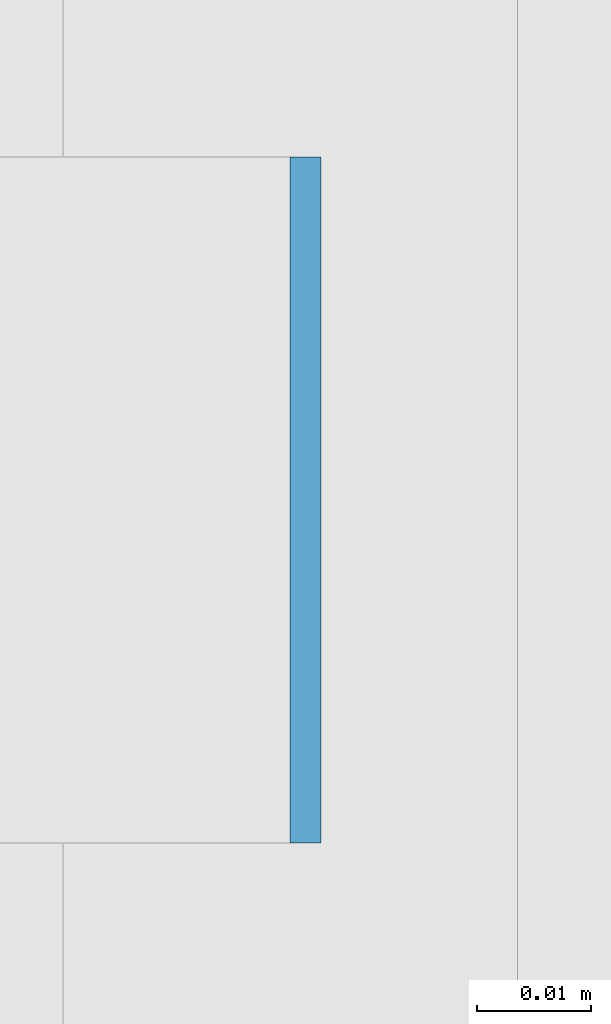
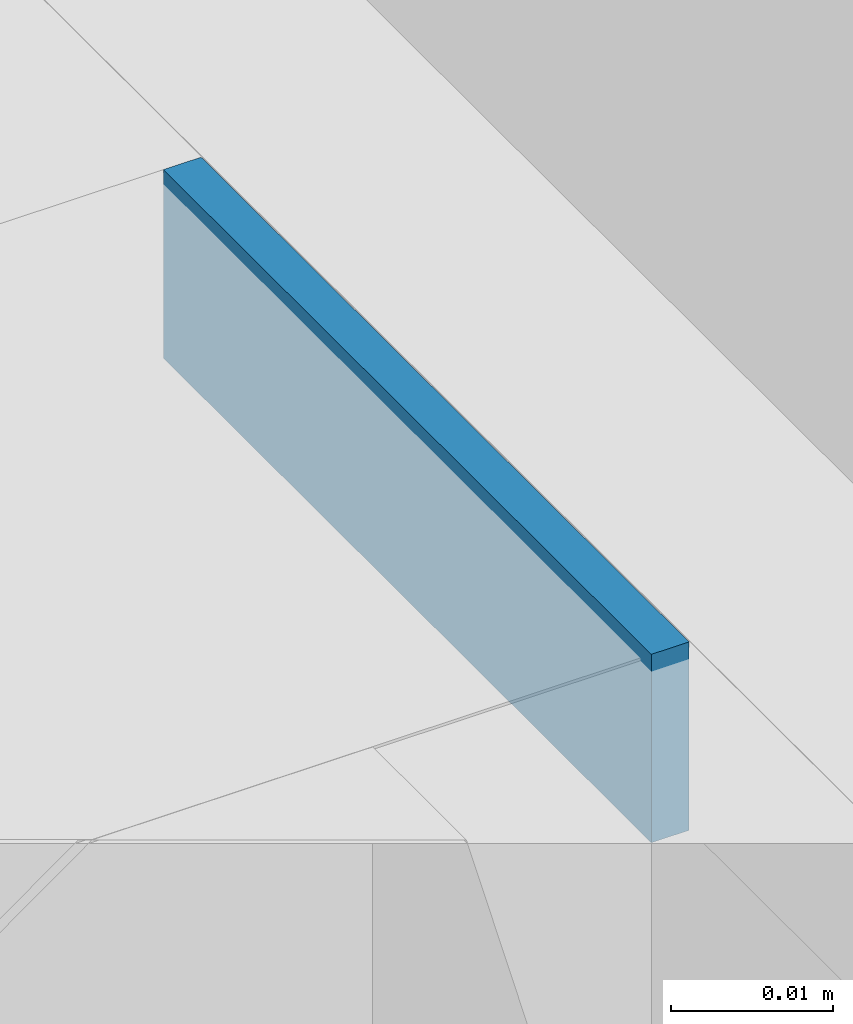
# One storey, part 407 of 646: 1 discrete accessory.
"""IFC4 building model written with IfcOpenShell, lengths in metres."""

import ifcopenshell
import ifcopenshell.guid

model = None  # the IFC model being written
_history = None  # IfcOwnerHistory: only IFC2X3 demands one
_inside = {}  # id of a spatial element -> (the spatial element, [elements in it])
_under = {}  # id of a project, library or spatial element -> (it, [spatial elements below it])
_declared = {}  # id of a project -> (the project, [libraries it declares])
_typed = {}  # id of a type object -> (the type object, [elements of that type])
_made_of = {}  # id of a material, layer set ... -> (it, [elements and type objects made of it])


def new_model(schema):
    """Start an empty IFC model of exactly this schema.

    Asked for "IFC4X3", IfcOpenShell would pick the latest addendum, in which some entities
    have other attributes; the version numbers below select the first issue.
    IFC2X3 requires an IfcOwnerHistory on every rooted entity: one is made here for all.
    """
    global model, _history
    if schema == "IFC4X3":
        model = ifcopenshell.file(schema_version=(4, 3, 0, 0))
    else:
        model = ifcopenshell.file(schema=schema)
    _inside.clear()
    _under.clear()
    _declared.clear()
    _typed.clear()
    _made_of.clear()
    _history = None
    if model.schema == "IFC2X3":
        org = make("IfcOrganization", Name="unknown")
        user = make(
            "IfcPersonAndOrganization",
            ThePerson=make("IfcPerson", FamilyName="unknown"),
            TheOrganization=org,
        )
        app = make(
            "IfcApplication",
            ApplicationDeveloper=org,
            Version="unknown",
            ApplicationFullName="unknown",
            ApplicationIdentifier="unknown",
        )
        _history = make(
            "IfcOwnerHistory",
            OwningUser=user,
            OwningApplication=app,
            ChangeAction="ADDED",
            CreationDate=0,
        )
    return model


def make(cls, **values):
    """One entity of the class cls with the attributes given. An attribute that is None is left unset."""
    return model.create_entity(
        cls, **{name: value for name, value in values.items() if value is not None}
    )


def rooted(cls, **values):
    """An entity with a GlobalId (a new one), such as an element, a storey or a relation."""
    return make(cls, GlobalId=ifcopenshell.guid.new(), OwnerHistory=_history, **values)


def si_unit(unit_type, name, prefix=None):
    """IfcSIUnit, for example si_unit("LENGTHUNIT", "METRE", prefix="MILLI")."""
    return make("IfcSIUnit", UnitType=unit_type, Prefix=prefix, Name=name)


def assignment(units):
    """IfcUnitAssignment: the units of a project."""
    return None if units is None else make("IfcUnitAssignment", Units=units)


def point(xyz):
    """IfcCartesianPoint."""
    return None if xyz is None else make("IfcCartesianPoint", Coordinates=xyz)


def direction(xyz):
    """IfcDirection."""
    return None if xyz is None else make("IfcDirection", DirectionRatios=xyz)


def frame(location, z_axis=None, x_axis=None):
    """IfcAxis2Placement3D, a coordinate frame: its origin and axes. An axis left out is left unset."""
    return make(
        "IfcAxis2Placement3D",
        Location=point(location),
        Axis=direction(z_axis),
        RefDirection=direction(x_axis),
    )


def frame_2d(location, x_axis=None):
    """IfcAxis2Placement2D, a coordinate frame in the plane: its origin and x axis."""
    return make(
        "IfcAxis2Placement2D", Location=point(location), RefDirection=direction(x_axis)
    )


def origin():
    """The frame at (0, 0, 0) with its axes left unset."""
    return frame((0.0, 0.0, 0.0))


def origin_2d():
    """The frame at (0, 0) in the plane with its x axis left unset."""
    return frame_2d((0.0, 0.0))


def place(relative_to, where):
    """IfcLocalPlacement: puts the frame where relative to a parent placement (None: the world)."""
    return make(
        "IfcLocalPlacement", PlacementRelTo=relative_to, RelativePlacement=where
    )


def context(
    kind, dimensions, precision=None, world=None, true_north=None, identifier=None
):
    """IfcGeometricRepresentationContext, for example the 3D "Model" context."""
    return make(
        "IfcGeometricRepresentationContext",
        ContextIdentifier=identifier,
        ContextType=kind,
        CoordinateSpaceDimension=dimensions,
        Precision=precision,
        WorldCoordinateSystem=world,
        TrueNorth=true_north,
    )


def subcontext(parent, identifier, kind, view, scale=None):
    """IfcGeometricRepresentationSubContext, for example "Body" below "Model"."""
    return make(
        "IfcGeometricRepresentationSubContext",
        ContextIdentifier=identifier,
        ContextType=kind,
        ParentContext=parent,
        TargetScale=scale,
        TargetView=view,
    )


def project(units=None, contexts=None):
    """IfcProject with its units and contexts."""
    return rooted(
        "IfcProject",
        Name="project",
        RepresentationContexts=contexts,
        UnitsInContext=assignment(units),
    )


def spatial(cls, under=None, at=None, **own):
    """A site, building, storey or space (cls), placed at a placement, below another one or the project."""
    s = rooted(cls, ObjectPlacement=at, **own)
    if under is not None:
        _under.setdefault(under.id(), (under, []))[1].append(s)
    return s


def profile(cls, at=None, kind="AREA", **sizes):
    """A parametric profile (cls). Its sizes go by their IFC names, for example OverallWidth=200.0."""
    return make(cls, ProfileType=kind, Position=at, **sizes)


def rectangle(**sizes):
    """IfcRectangleProfileDef."""
    return profile("IfcRectangleProfileDef", **sizes)


def extrude(swept, where, along, depth):
    """IfcExtrudedAreaSolid: the profile swept, set in the frame where, extruded along a direction by depth."""
    return make(
        "IfcExtrudedAreaSolid",
        SweptArea=swept,
        Position=where,
        ExtrudedDirection=direction(along),
        Depth=depth,
    )


def shape(context_of_items, identifier, shape_type, items):
    """IfcShapeRepresentation: the items that make up one representation, for example the "Body"."""
    return make(
        "IfcShapeRepresentation",
        ContextOfItems=context_of_items,
        RepresentationIdentifier=identifier,
        RepresentationType=shape_type,
        Items=items,
    )


def material(Name=None, Category=None):
    """IfcMaterial."""
    return make("IfcMaterial", Name=Name, Category=Category)


def made_of(thing, what):
    """Note that an element or type object is made of a material, layer set ...; save() writes the relation."""
    if what is not None:
        _made_of.setdefault(what.id(), (what, []))[1].append(thing)
    return thing


def type_object(cls, material=None, **own):
    """A type object (cls), such as IfcWallType, which elements share."""
    return made_of(rooted(cls, **own), material)


def element(
    cls,
    number,
    at=None,
    inside=None,
    cuts=None,
    type_object=None,
    material=None,
    context=None,
    identifier="Body",
    shape_type=None,
    held_by="IfcProductDefinitionShape",
    body=None,
    shapes=None,
    **own,
):
    """One element of the class cls, such as IfcWall. Its Tag is "e" and its number.

    at: its placement. inside: the storey or other place that contains it. cuts: it is an
    opening in that element (IfcRelVoidsElement). A single representation is given by context,
    identifier, shape_type and body (its items); several are given by shapes. held_by: the class
    of the entity that holds the representations. save() writes the other relations.
    """
    e = rooted(cls, Tag="e%d" % number, ObjectPlacement=at, **own)
    if body is not None:
        shapes = [shape(context, identifier, shape_type, body)]
    if shapes is not None:
        e.Representation = make(held_by, Representations=shapes)
    if inside is not None:
        _inside.setdefault(inside.id(), (inside, []))[1].append(e)
    if cuts is not None:
        rooted(
            "IfcRelVoidsElement", RelatingBuildingElement=cuts, RelatedOpeningElement=e
        )
    if type_object is not None:
        _typed.setdefault(type_object.id(), (type_object, []))[1].append(e)
    return made_of(e, material)


def aggregate(whole, parts):
    """IfcRelAggregates: a whole, such as a stair, and the parts it consists of."""
    return rooted("IfcRelAggregates", RelatingObject=whole, RelatedObjects=parts)


def save(model, path):
    """Write the relations noted so far, then the file.

    IfcRelAggregates (storeys below a building ...), IfcRelContainedInSpatialStructure (elements
    in a storey), IfcRelDefinesByType, IfcRelAssociatesMaterial and IfcRelDeclares: one each for
    every whole, place, type object, material and project.
    """
    for whole, parts in _under.values():
        aggregate(whole, parts)
    for where, things in _inside.values():
        rooted(
            "IfcRelContainedInSpatialStructure",
            RelatedElements=things,
            RelatingStructure=where,
        )
    for kind, things in _typed.values():
        rooted("IfcRelDefinesByType", RelatedObjects=things, RelatingType=kind)
    for what, things in _made_of.values():
        rooted("IfcRelAssociatesMaterial", RelatedObjects=things, RelatingMaterial=what)
    for by, libraries in _declared.values():
        rooted("IfcRelDeclares", RelatingContext=by, RelatedDefinitions=libraries)
    model.write(path)


model = new_model("IFC4")

# Units and contexts
model_context = context("Model", 3, precision=1e-05, world=origin(), true_north=direction((0.0, 1.0)))
body_context = subcontext(model_context, "Body", "Model", "MODEL_VIEW")
ifc_project = project(units=[si_unit("LENGTHUNIT", "METRE"), si_unit("AREAUNIT", "SQUARE_METRE"), si_unit("VOLUMEUNIT", "CUBIC_METRE"), si_unit("PLANEANGLEUNIT", "RADIAN"), si_unit("MASSUNIT", "GRAM", prefix="KILO")], contexts=[model_context])

# Site, building, storey
site_placement = place(None, origin())
site = spatial("IfcSite", under=ifc_project, at=site_placement, CompositionType="ELEMENT")
building_placement = place(site_placement, origin())
building = spatial("IfcBuilding", under=site, at=building_placement, Name="Silverbay Arena", CompositionType="ELEMENT")
storey_placement = place(building_placement, frame((0.0, 0.0, 33.5)))
storey = spatial("IfcBuildingStorey", under=building, at=storey_placement, Name="L05", CompositionType="ELEMENT", Elevation=33.5)

# Discrete accessory
ifc_material = material(Name="Steel S355", Category="steel")
discrete_accessory_type = type_object("IfcDiscreteAccessoryType", Name="Steel bracket plate", PredefinedType="BRACKET", material=ifc_material)
discrete_accessory_placement = place(storey_placement, frame((53.871337890625, 123.428466796875, 12.98583984375), z_axis=(0.0, 0.0, 1.0), x_axis=(1.0, 0.0, 0.0)))
element("IfcDiscreteAccessory", 1, at=discrete_accessory_placement, inside=storey, type_object=discrete_accessory_type, Name="Curtain wall packing plate", PredefinedType="BRACKET", context=body_context, shape_type="SweptSolid", body=[
    extrude(rectangle(XDim=0.002685546875, YDim=0.06005859375, at=origin_2d()), origin(), (0.0, 0.0, 1.0), 0.01416015625),
])

save(model, "model.ifc")
